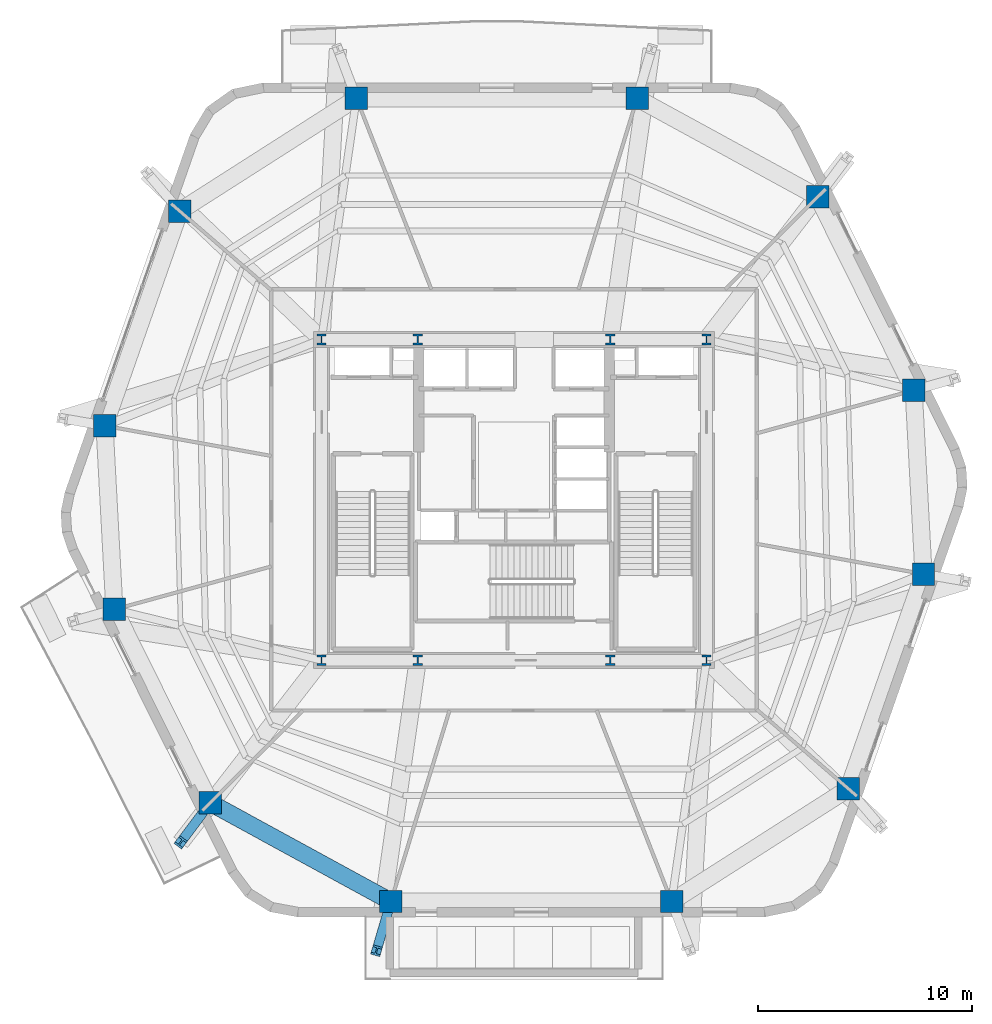
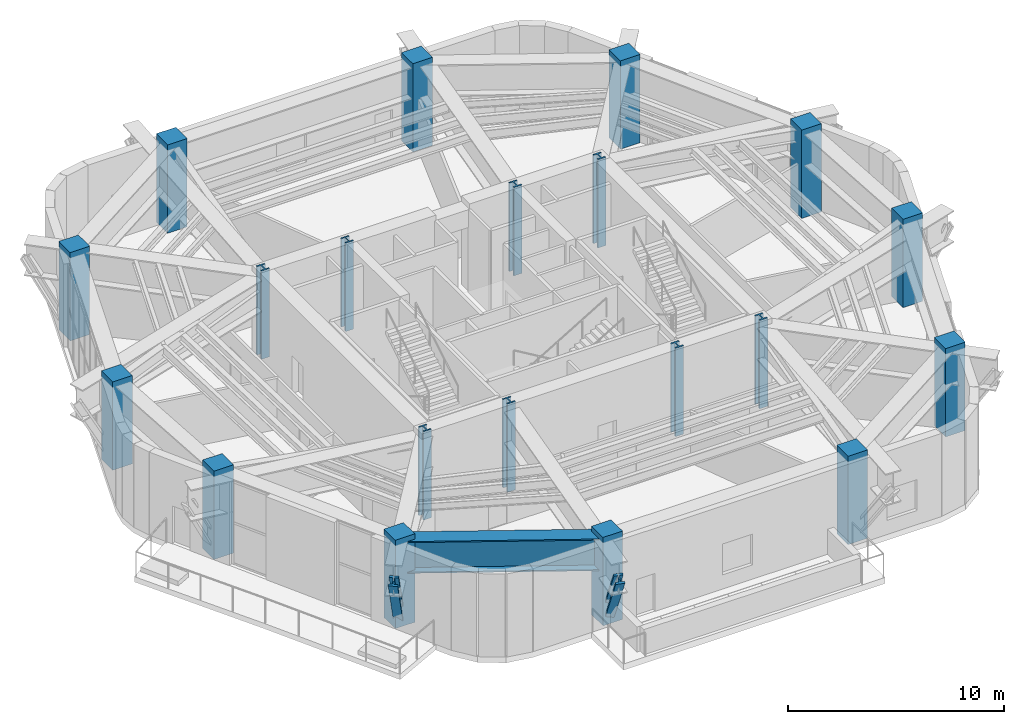
# One storey, part 1 of 18: 20 columns, 2 members, 1 beam.
"""IFC4 building model written with IfcOpenShell, lengths in metres."""

from ifc_helpers import new_model, si_unit, direction, frame, origin, origin_2d, place, context, subcontext, project, spatial, rectangle, i_section, extrude, material, material_profile, profile_set, type_object, element, save


model = new_model("IFC4")

# Units and contexts
model_context = context("Model", 3, precision=1e-05, world=origin(), true_north=direction((0.0, 1.0)))
body_context = subcontext(model_context, "Body", "Model", "MODEL_VIEW")
ifc_project = project(units=[si_unit("LENGTHUNIT", "METRE"), si_unit("AREAUNIT", "SQUARE_METRE"), si_unit("VOLUMEUNIT", "CUBIC_METRE"), si_unit("PLANEANGLEUNIT", "RADIAN"), si_unit("MASSUNIT", "GRAM", prefix="KILO")], contexts=[model_context])

# Site, building, storey
site_placement = place(None, origin())
site = spatial("IfcSite", under=ifc_project, at=site_placement, CompositionType="ELEMENT")
building_placement = place(site_placement, origin())
building = spatial("IfcBuilding", under=site, at=building_placement, Name="Kilnhurst Terrace Hotel", CompositionType="ELEMENT")
storey_placement = place(building_placement, frame((0.0, 0.0, 201.5)))
storey = spatial("IfcBuildingStorey", under=building, at=storey_placement, Name="L50", CompositionType="ELEMENT", Elevation=201.5)

# Columns
ifc_material_1 = material(Name="Concrete C80/95", Category="concrete")
ifc_material_profile_1 = material_profile(ifc_material_1, rectangle(XDim=1.050048828125, YDim=1.050048828125, at=origin_2d()), Name="RC1050X1050")
ifc_profile_set_1 = profile_set([ifc_material_profile_1], Name="Concrete C80/95")
column_type_1 = type_object("IfcColumnType", Name="COL-RC-1050", PredefinedType="COLUMN", material=ifc_profile_set_1)
for number, where, z_axis, x_axis, name in (
    (1, (-5.7548828125, -18.780029296875, 0.0), (0.0, 0.0, 1.0), (1.0, 0.0, 0.0), "L50 Structural Column PC-F11"),
    (2, (7.368896484375, -18.780029296875, 0.0), (0.0, 0.0, 1.0), (1.0, 0.0, 0.0), "L50 Structural Column PC-F12"),
    (3, (15.633056640625, -13.5048828125, 0.0), (0.0, 0.0, 1.0), (1.0, 0.0, 0.0), "L50 Structural Column PC-F21"),
    (4, (19.14794921875, -3.467041015625, 0.0), (0.0, 0.0, 1.0), (1.0, 0.0, 0.0), "L50 Structural Column PC-F22"),
    (5, (18.68701171875, 5.1240234375, 0.0), (0.0, 0.0, 1.0), (1.0, 0.0, 0.0), "L50 Structural Column PC-F31"),
    (6, (14.2041015625, 14.166015625, 0.0), (0.0, 0.0, 1.0), (1.0, 0.0, 0.0), "L50 Structural Column PC-F32"),
    (7, (5.7548828125, 18.780029296875, 0.0), (0.0, 0.0, 1.0), (1.0, 0.0, 0.0), "L50 Structural Column PC-F41"),
    (8, (-7.368896484375, 18.780029296875, 0.0), (0.0, 0.0, 1.0), (1.0, 0.0, 0.0), "L50 Structural Column PC-F42"),
    (9, (-15.633056640625, 13.5048828125, 0.0), (0.0, 0.0, 1.0), (1.0, 0.0, 0.0), "L50 Structural Column PC-F51"),
    (10, (-19.14794921875, 3.467041015625, 0.0), (0.0, 0.0, 1.0), (1.0, 0.0, 0.0), "L50 Structural Column PC-F52"),
    (11, (-18.68701171875, -5.1240234375, 0.0), (0.0, 0.0, 1.0), (1.0, 0.0, 0.0), "L50 Structural Column PC-F61"),
    (12, (-14.2041015625, -14.166015625, 0.0), (0.0, 0.0, 1.0), (1.0, 0.0, 0.0), "L50 Structural Column PC-F62"),
):
    element("IfcColumn", number, at=place(storey_placement, frame(where, z_axis=z_axis, x_axis=x_axis)), inside=storey, type_object=column_type_1, Name=name, PredefinedType="COLUMN", context=body_context, shape_type="SweptSolid", body=[
        extrude(rectangle(XDim=1.050048828125, YDim=1.050048828125, at=origin_2d()), origin(), (0.0, 0.0, 1.0), 5.0),
    ])
ifc_material_2 = material(Name="Steel ASTM A992 Grade 50", Category="steel")
ifc_material_profile_2 = material_profile(ifc_material_2, i_section(OverallWidth=0.43212890625, OverallDepth=0.497802734375, WebThickness=0.0556640625, FlangeThickness=0.0888671875, at=origin_2d()), Name="W14X500")
ifc_profile_set_2 = profile_set([ifc_material_profile_2], Name="Steel ASTM A992 Grade 50")
column_type_2 = type_object("IfcColumnType", Name="COL-STL-W14X500", PredefinedType="COLUMN", material=ifc_profile_set_2)
for number, where, z_axis, x_axis, name in (
    (13, (-9.0, -7.5, 0.0), (0.0, 0.0, 1.0), (1.0, 0.0, 0.0), "L50 Structural Column CC-SW"),
    (14, (-4.5, -7.5, 0.0), (0.0, 0.0, 1.0), (1.0, 0.0, 0.0), "L50 Structural Column CC-SC1"),
    (15, (4.5, -7.5, 0.0), (0.0, 0.0, 1.0), (1.0, 0.0, 0.0), "L50 Structural Column CC-SC2"),
    (16, (9.0, -7.5, 0.0), (0.0, 0.0, 1.0), (1.0, 0.0, 0.0), "L50 Structural Column CC-SE"),
    (17, (9.0, 7.5, 0.0), (0.0, 0.0, 1.0), (1.0, 0.0, 0.0), "L50 Structural Column CC-NE"),
    (18, (4.5, 7.5, 0.0), (0.0, 0.0, 1.0), (1.0, 0.0, 0.0), "L50 Structural Column CC-NC2"),
    (19, (-4.5, 7.5, 0.0), (0.0, 0.0, 1.0), (1.0, 0.0, 0.0), "L50 Structural Column CC-NC1"),
    (20, (-9.0, 7.5, 0.0), (0.0, 0.0, 1.0), (1.0, 0.0, 0.0), "L50 Structural Column CC-NW"),
):
    element("IfcColumn", number, at=place(storey_placement, frame(where, z_axis=z_axis, x_axis=x_axis)), inside=storey, type_object=column_type_2, Name=name, PredefinedType="COLUMN", context=body_context, shape_type="SweptSolid", body=[
        extrude(i_section(OverallWidth=0.43212890625, OverallDepth=0.497802734375, WebThickness=0.0556640625, FlangeThickness=0.0888671875, at=origin_2d()), origin(), (0.0, 0.0, 1.0), 5.0),
    ])

# Members
ifc_material_profile_3 = material_profile(ifc_material_2, i_section(OverallWidth=0.44189453125, OverallDepth=0.531494140625, WebThickness=0.06591796875, FlangeThickness=0.105712890625, at=origin_2d()), Name="W14X605")
ifc_profile_set_3 = profile_set([ifc_material_profile_3], Name="Steel ASTM A992 Grade 50")
member_type = type_object("IfcMemberType", Name="MEM-OTR-DIAG-605", PredefinedType="BRACE", material=ifc_profile_set_3)
member_1_placement = place(storey_placement, frame((-5.7548828125, -18.780029296875, 0.0), z_axis=(-0.150247401564, -0.511927945799, 0.845786909708), x_axis=(0.959527524406, -0.281614860947, 0.0)))
element("IfcMember", 21, at=member_1_placement, inside=storey, type_object=member_type, Name="L50 Waist Flare Inclined Column Strut 1", PredefinedType="BRACE", context=body_context, shape_type="SweptSolid", body=[
    extrude(i_section(OverallWidth=0.44189453125, OverallDepth=0.531494140625, WebThickness=0.06591796875, FlangeThickness=0.105712890625, at=origin_2d()), origin(), (0.0, 0.0, 1.0), 4.492919921875),
])
member_2_placement = place(storey_placement, frame((-14.2041015625, -14.166015625, 0.0), z_axis=(-0.311049501292, -0.415446588502, 0.854782042305), x_axis=(0.800494944476, -0.599339506347, 0.0)))
element("IfcMember", 22, at=member_2_placement, inside=storey, type_object=member_type, Name="L50 Waist Flare Inclined Column Strut 12", PredefinedType="BRACE", context=body_context, shape_type="SweptSolid", body=[
    extrude(i_section(OverallWidth=0.44189453125, OverallDepth=0.531494140625, WebThickness=0.06591796875, FlangeThickness=0.105712890625, at=origin_2d()), origin(), (0.0, 0.0, 1.0), 4.445556640625),
])

# Beam
ifc_material_3 = material(Name="Steel ASTM A572 Grade 50", Category="steel")
ifc_material_profile_4 = material_profile(ifc_material_3, i_section(OverallWidth=0.800048828125, OverallDepth=1.800048828125, WebThickness=0.0400390625, FlangeThickness=0.06494140625, at=origin_2d()), Name="PG1800X800")
ifc_profile_set_4 = profile_set([ifc_material_profile_4], Name="Steel ASTM A572 Grade 50")
beam_type = type_object("IfcBeamType", Name="TG-STEP-1800", PredefinedType="USERDEFINED", material=ifc_profile_set_4)
beam_placement = place(storey_placement, frame((-14.2041015625, -14.166015625, 3.800048828125), z_axis=(0.87766189723, -0.479280287672, 0.0), x_axis=(0.479280287672, 0.87766189723, 0.0)))
element("IfcBeam", 23, at=beam_placement, inside=storey, type_object=beam_type, Name="L50 Zone Step Perimeter Transfer Girder 12", ObjectType="GIRDER", PredefinedType="USERDEFINED", context=body_context, shape_type="SweptSolid", body=[
    extrude(i_section(OverallWidth=0.800048828125, OverallDepth=1.800048828125, WebThickness=0.0400390625, FlangeThickness=0.06494140625, at=origin_2d()), origin(), (0.0, 0.0, 1.0), 9.626953125),
])

save(model, "model.ifc")
